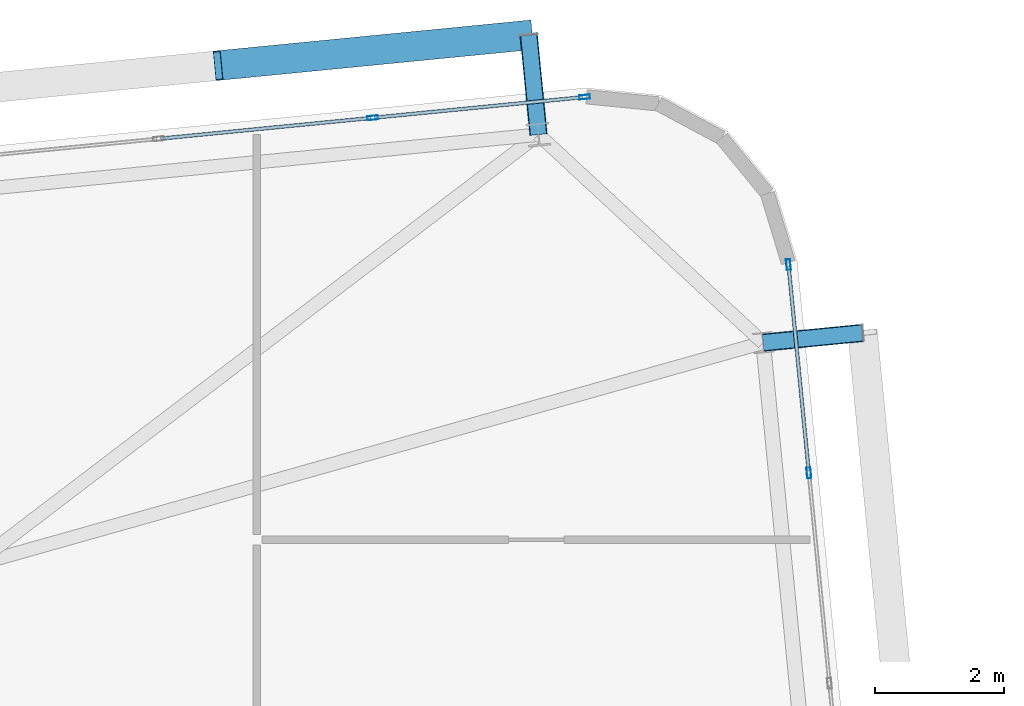
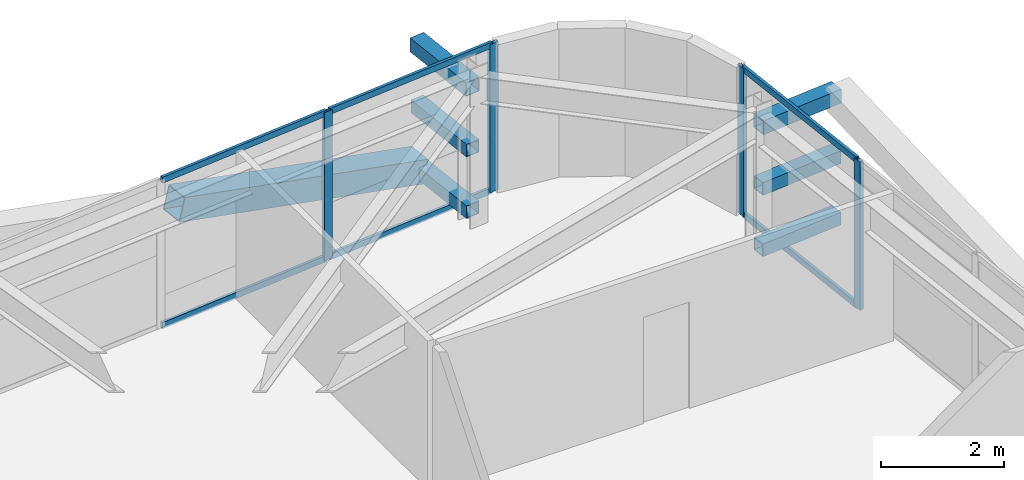
# One storey, part 35 of 53: 17 members, 2 elements without a shape of their own.
"""IFC4 building model written with IfcOpenShell, lengths in metres."""

from ifc_helpers import new_model, si_unit, direction, frame, origin, origin_2d, place, context, subcontext, project, spatial, hollow_rectangle, extrude, source, transform, mapped, material, layer, layer_set, material_profile, profile_set, type_object, element, aggregate, save


model = new_model("IFC4")

# Units and contexts
model_context = context("Model", 3, precision=1e-05, world=origin(), true_north=direction((0.0, 1.0)))
body_context = subcontext(model_context, "Body", "Model", "MODEL_VIEW")
ifc_project = project(units=[si_unit("LENGTHUNIT", "METRE"), si_unit("AREAUNIT", "SQUARE_METRE"), si_unit("VOLUMEUNIT", "CUBIC_METRE"), si_unit("PLANEANGLEUNIT", "RADIAN"), si_unit("MASSUNIT", "GRAM", prefix="KILO")], contexts=[model_context])

# Site, building, storey
site_placement = place(None, origin())
site = spatial("IfcSite", under=ifc_project, at=site_placement, CompositionType="ELEMENT")
building_placement = place(site_placement, origin())
building = spatial("IfcBuilding", under=site, at=building_placement, Name="Taldren Reach Tower", CompositionType="ELEMENT")
storey_placement = place(building_placement, frame((0.0, 0.0, 71.39990234375)))
storey = spatial("IfcBuildingStorey", under=building, at=storey_placement, Name="L21", CompositionType="ELEMENT", Elevation=71.39990234375)

# Members
ifc_material_1 = material(Name="Steel Gr 450 (C450L0)", Category="steel")
ifc_material_profile_1 = material_profile(ifc_material_1, hollow_rectangle(XDim=0.27490234375, YDim=0.27490234375, WallThickness=0.00927734375, at=origin_2d()), Name="275x275x9.3SHS")
ifc_profile_set_1 = profile_set([ifc_material_profile_1], Name="Steel Gr 450 (C450L0)")
member_type_1 = type_object("IfcMemberType", Name="MB-TIE273", PredefinedType="STRUT", material=ifc_profile_set_1)
shared_shape_1 = source(origin(), body_context, "Body", "SweptSolid", [
    extrude(hollow_rectangle(XDim=0.27490234375, YDim=0.27490234375, WallThickness=0.00927734375, at=origin_2d()), origin(), (0.0, 0.0, 1.0), 1.5498046875),
])
for number, where, z_axis, x_axis, name in (
    (1, (59.765869140625, 38.679931640625, 2.650146484375), (-0.097663201064, 0.995219523099, 0.0), (-0.995219523099, -0.097663201064, 0.0), "Exoskeleton diaphragm tie strut B2-N6 L21"),
    (2, (63.247314453125, 35.454345703125, 2.650146484375), (0.995234821595, 0.097507178627, 0.0), (-0.097507178627, 0.995234821595, 0.0), "Exoskeleton diaphragm tie strut B2-E3 L21"),
):
    element("IfcMember", number, at=place(storey_placement, frame(where, z_axis=z_axis, x_axis=x_axis)), inside=storey, type_object=member_type_1, Name=name, PredefinedType="STRUT", context=body_context, shape_type="MappedRepresentation", body=[
        mapped(shared_shape_1, transform((0.0, 0.0, 0.0), scale=1.0)),
    ])
ifc_material_2 = material(Name="Steel Gr 350 (C350L0)", Category="steel")
ifc_material_profile_2 = material_profile(ifc_material_2, hollow_rectangle(XDim=0.25, YDim=0.25, WallThickness=0.010009765625, at=origin_2d()), Name="250x250x10.0SHS")
ifc_profile_set_2 = profile_set([ifc_material_profile_2], Name="Steel Gr 350 (C350L0)")
member_type_2 = type_object("IfcMemberType", Name="MB-POST250", PredefinedType="POST", material=ifc_profile_set_2)
shared_shape_2 = source(origin(), body_context, "Body", "SweptSolid", [
    extrude(hollow_rectangle(XDim=0.25, YDim=0.25, WallThickness=0.010009765625, at=origin_2d()), origin(), (0.0, 0.0, 1.0), 1.5498046875),
])
for number, where, z_axis, x_axis, name in (
    (3, (59.765869140625, 38.679931640625, 0.22021484375), (-0.097663201064, 0.995219523099, 0.0), (-0.995219523099, -0.097663201064, 0.0), "Exoskeleton base diaphragm tie strut B2-N6 L21"),
    (4, (63.247314453125, 35.454345703125, 0.22021484375), (0.995234821595, 0.097507178627, 0.0), (-0.097507178627, 0.995234821595, 0.0), "Exoskeleton base diaphragm tie strut B2-E3 L21"),
    (5, (59.765869140625, 38.679931640625, 1.43505859375), (-0.097663201064, 0.995219523099, 0.0), (-0.995219523099, -0.097663201064, 0.0), "Exoskeleton mid-tier diaphragm tie B2-N6 L21"),
    (6, (63.247314453125, 35.454345703125, 1.43505859375), (0.995234821595, 0.097507178627, 0.0), (-0.097507178627, 0.995234821595, 0.0), "Exoskeleton mid-tier diaphragm tie B2-E3 L21"),
):
    element("IfcMember", number, at=place(storey_placement, frame(where, z_axis=z_axis, x_axis=x_axis)), inside=storey, type_object=member_type_2, Name=name, PredefinedType="POST", context=body_context, shape_type="MappedRepresentation", body=[
        mapped(shared_shape_2, transform((0.0, 0.0, 0.0), scale=1.0)),
    ])
ifc_material_profile_3 = material_profile(ifc_material_1, hollow_rectangle(XDim=0.4599609375, YDim=0.4599609375, WallThickness=0.01611328125, at=origin_2d()), Name="460x460x16.0SHS")
ifc_profile_set_3 = profile_set([ifc_material_profile_3], Name="Steel Gr 450 (C450L0)")
member_type_3 = type_object("IfcMemberType", Name="MB-EXO457", PredefinedType="BRACE", material=ifc_profile_set_3)
shared_shape_3 = source(origin(), body_context, "Body", "SweptSolid", [
    extrude(hollow_rectangle(XDim=0.4599609375, YDim=0.4599609375, WallThickness=0.01611328125, at=origin_2d()), origin(), (0.0, 0.0, 1.0), 4.990234375),
])
member_1_placement = place(storey_placement, frame((59.614501953125, 40.222412109375, 0.22021484375), z_axis=(-0.965287024526, -0.094620633828, 0.24344998652), x_axis=(0.097555749586, -0.995230061706, 0.0)))
element("IfcMember", 7, at=member_1_placement, inside=storey, type_object=member_type_3, Name="Exoskeleton Diagrid Brace B2-N5 L21", PredefinedType="BRACE", context=body_context, shape_type="MappedRepresentation", body=[
    mapped(shared_shape_3, transform((0.0, 0.0, 0.0), scale=1.0)),
])

# Curtain wall, members
ifc_material_3 = material(Name="Aluminium and Low-E Glass Unitised System", Category="aluminium")
ifc_layer = layer(ifc_material_3, 0.159912109375)
ifc_layer_set = layer_set([ifc_layer], Name="Aluminium and Low-E Glass Unitised System")
curtain_wall_type = type_object("IfcCurtainWallType", Name="CW-SYS-3", PredefinedType="NOTDEFINED", material=ifc_layer_set)
curtain_wall_1_placement = place(storey_placement, origin())
curtain_wall_1 = element("IfcCurtainWall", 8, at=curtain_wall_1_placement, inside=storey, type_object=curtain_wall_type, Name="Unitised curtain wall CW-L21-N", PredefinedType="NOTDEFINED")
ifc_material_4 = material(Name="Anodised Aluminium 6063-T6", Category="aluminium")
ifc_material_profile_4 = material_profile(ifc_material_4, hollow_rectangle(XDim=0.06494140625, YDim=0.1650390625, WallThickness=0.00390625, at=origin_2d()), Name="ALU-165x65x4RHS")
ifc_profile_set_4 = profile_set([ifc_material_profile_4], Name="Anodised Aluminium 6063-T6")
member_type_4 = type_object("IfcMemberType", Name="CW-MUL-165", PredefinedType="MULLION", material=ifc_profile_set_4)
shared_shape_4 = source(origin(), body_context, "Body", "SweptSolid", [
    extrude(hollow_rectangle(XDim=0.06494140625, YDim=0.1650390625, WallThickness=0.00390625, at=origin_2d()), origin(), (0.0, 0.0, 1.0), 2.93017578125),
])
member_2_placement = place(storey_placement, frame((60.47998046875, 39.262451171875, 0.0), z_axis=(0.0, 0.0, 1.0), x_axis=(0.097582999046, -0.995227390247, 0.0)))
member_2 = element("IfcMember", 9, at=member_2_placement, type_object=member_type_4, Name="CW-3 mullion 1", PredefinedType="MULLION", context=body_context, shape_type="MappedRepresentation", body=[
    mapped(shared_shape_4, transform((0.0, 0.0, 0.0), scale=1.0)),
])
member_3_placement = place(storey_placement, frame((57.19482421875, 38.940185546875, 0.0), z_axis=(0.0, 0.0, 1.0), x_axis=(0.097582999046, -0.995227390247, 0.0)))
member_3 = element("IfcMember", 10, at=member_3_placement, type_object=member_type_4, Name="CW-3 mullion 2", PredefinedType="MULLION", context=body_context, shape_type="MappedRepresentation", body=[
    mapped(shared_shape_4, transform((0.0, 0.0, 0.0), scale=1.0)),
])

curtain_wall_2_placement = place(storey_placement, origin())
curtain_wall_2 = element("IfcCurtainWall", 11, at=curtain_wall_2_placement, inside=storey, type_object=curtain_wall_type, Name="Unitised curtain wall CW-L21-E", PredefinedType="NOTDEFINED")
member_4_placement = place(storey_placement, frame((63.95751953125, 33.43603515625, 0.0), z_axis=(0.0, 0.0, 1.0), x_axis=(-0.99522741555, -0.09758274098, 0.0)))
member_4 = element("IfcMember", 12, at=member_4_placement, type_object=member_type_4, Name="CW-3 mullion 9", PredefinedType="MULLION", context=body_context, shape_type="MappedRepresentation", body=[
    mapped(shared_shape_4, transform((0.0, 0.0, 0.0), scale=1.0)),
])
member_5_placement = place(storey_placement, frame((63.640869140625, 36.666015625, 0.0), z_axis=(0.0, 0.0, 1.0), x_axis=(-0.99522741555, -0.09758274098, 0.0)))
member_5 = element("IfcMember", 13, at=member_5_placement, type_object=member_type_4, Name="CW-3 mullion 10", PredefinedType="MULLION", context=body_context, shape_type="MappedRepresentation", body=[
    mapped(shared_shape_4, transform((0.0, 0.0, 0.0), scale=1.0)),
])

# Member
ifc_material_profile_5 = material_profile(ifc_material_4, hollow_rectangle(XDim=0.054931640625, YDim=0.1201171875, WallThickness=0.0029296875, at=origin_2d()), Name="ALU-120x55x3RHS")
ifc_profile_set_5 = profile_set([ifc_material_profile_5], Name="Anodised Aluminium 6063-T6")
member_type_5 = type_object("IfcMemberType", Name="CW-TRN-135", PredefinedType="USERDEFINED", material=ifc_profile_set_5)
shared_shape_5 = source(origin(), body_context, "Body", "SweptSolid", [
    extrude(hollow_rectangle(XDim=0.054931640625, YDim=0.1201171875, WallThickness=0.0029296875, at=origin_2d()), origin(), (0.0, 0.0, 1.0), 3.23583984375),
])
member_6_placement = place(storey_placement, frame((60.447509765625, 39.25927734375, 0.027587890625), z_axis=(-0.995222920971, -0.097628569459, 0.0), x_axis=(0.097628569459, -0.995222920971, 0.0)))
member_6 = element("IfcMember", 14, at=member_6_placement, type_object=member_type_5, Name="CW-3 transom 1.1", ObjectType="TRANSOM", PredefinedType="USERDEFINED", context=body_context, shape_type="MappedRepresentation", body=[
    mapped(shared_shape_5, transform((0.0, 0.0, 0.0), scale=1.0)),
])

member_7_placement = place(storey_placement, frame((60.447509765625, 39.25927734375, 2.902587890625), z_axis=(-0.995222920971, -0.097628569459, 0.0), x_axis=(0.097628569459, -0.995222920971, 0.0)))
member_7 = element("IfcMember", 15, at=member_7_placement, type_object=member_type_5, Name="CW-3 transom 1.2", ObjectType="TRANSOM", PredefinedType="USERDEFINED", context=body_context, shape_type="MappedRepresentation", body=[
    mapped(shared_shape_5, transform((0.0, 0.0, 0.0), scale=1.0)),
])

shared_shape_6 = source(origin(), body_context, "Body", "SweptSolid", [
    extrude(hollow_rectangle(XDim=0.054931640625, YDim=0.1201171875, WallThickness=0.0029296875, at=origin_2d()), origin(), (0.0, 0.0, 1.0), 3.2685546875),
])
member_8_placement = place(storey_placement, frame((57.16259765625, 38.93701171875, 0.027587890625), z_axis=(-0.99523051601, -0.097551114824, 0.0), x_axis=(0.097551114824, -0.99523051601, 0.0)))
member_8 = element("IfcMember", 16, at=member_8_placement, type_object=member_type_5, Name="CW-3 transom 2.1", ObjectType="TRANSOM", PredefinedType="USERDEFINED", context=body_context, shape_type="MappedRepresentation", body=[
    mapped(shared_shape_6, transform((0.0, 0.0, 0.0), scale=1.0)),
])

member_9_placement = place(storey_placement, frame((57.16259765625, 38.93701171875, 2.902587890625), z_axis=(-0.99523051601, -0.097551114824, 0.0), x_axis=(0.097551114824, -0.99523051601, 0.0)))
member_9 = element("IfcMember", 17, at=member_9_placement, type_object=member_type_5, Name="CW-3 transom 2.2", ObjectType="TRANSOM", PredefinedType="USERDEFINED", context=body_context, shape_type="MappedRepresentation", body=[
    mapped(shared_shape_6, transform((0.0, 0.0, 0.0), scale=1.0)),
])

aggregate(curtain_wall_1, [member_2, member_3, member_6, member_7, member_8, member_9])

shared_shape_7 = source(origin(), body_context, "Body", "SweptSolid", [
    extrude(hollow_rectangle(XDim=0.054931640625, YDim=0.1201171875, WallThickness=0.0029296875, at=origin_2d()), origin(), (0.0, 0.0, 1.0), 3.18017578125),
])
member_10_placement = place(storey_placement, frame((63.954345703125, 33.468505859375, 0.027587890625), z_axis=(-0.097572914968, 0.995228378949, 0.0), x_axis=(-0.995228378949, -0.097572914968, 0.0)))
member_10 = element("IfcMember", 18, at=member_10_placement, type_object=member_type_5, Name="CW-3 transom 9.1", ObjectType="TRANSOM", PredefinedType="USERDEFINED", context=body_context, shape_type="MappedRepresentation", body=[
    mapped(shared_shape_7, transform((0.0, 0.0, 0.0), scale=1.0)),
])

member_11_placement = place(storey_placement, frame((63.954345703125, 33.468505859375, 2.902587890625), z_axis=(-0.097572914968, 0.995228378949, 0.0), x_axis=(-0.995228378949, -0.097572914968, 0.0)))
member_11 = element("IfcMember", 19, at=member_11_placement, type_object=member_type_5, Name="CW-3 transom 9.2", ObjectType="TRANSOM", PredefinedType="USERDEFINED", context=body_context, shape_type="MappedRepresentation", body=[
    mapped(shared_shape_7, transform((0.0, 0.0, 0.0), scale=1.0)),
])

aggregate(curtain_wall_2, [member_4, member_5, member_10, member_11])

save(model, "model.ifc")
